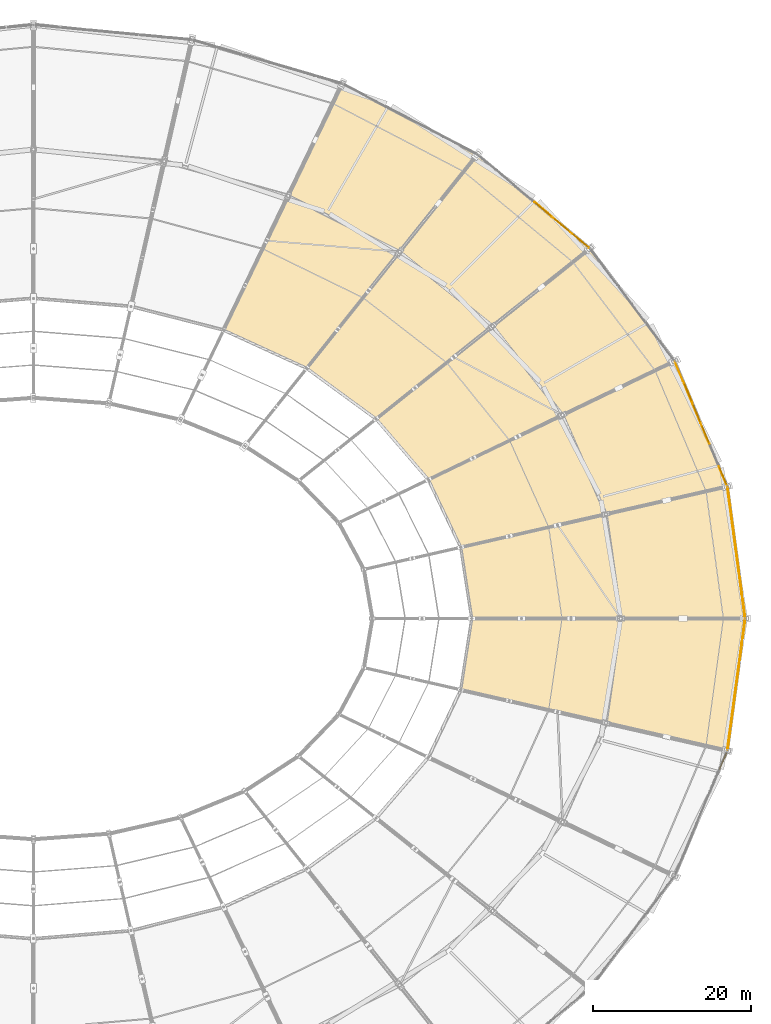
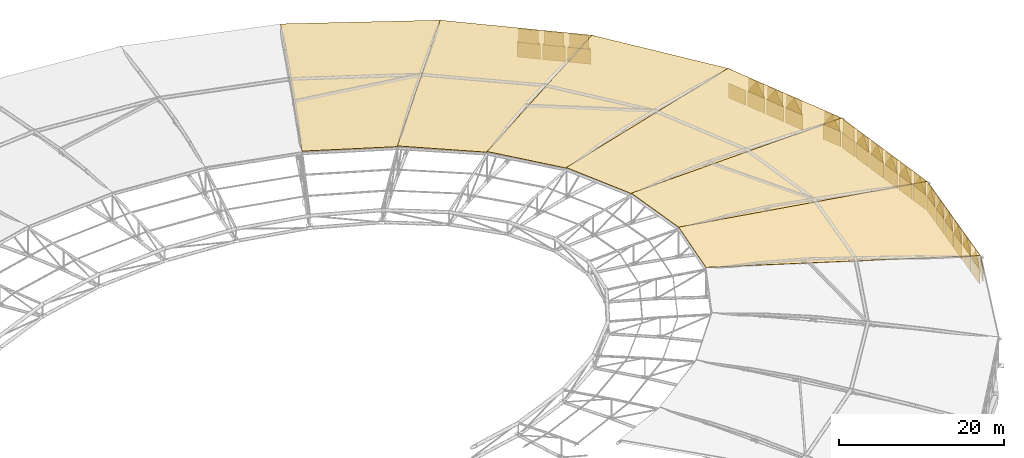
# One storey, part 105 of 108: 45 coverings, 20 shading devices.
"""IFC4 building model written with IfcOpenShell, lengths in metres."""

from ifc_helpers import new_model, si_unit, direction, frame, origin, origin_2d, place, context, subcontext, project, spatial, polyline, rectangle, outline, extrude, material, layer, layer_set, type_object, element, save


model = new_model("IFC4")

# Units and contexts
model_context = context("Model", 3, precision=1e-05, world=origin(), true_north=direction((0.0, 1.0)))
body_context = subcontext(model_context, "Body", "Model", "MODEL_VIEW")
ifc_project = project(units=[si_unit("LENGTHUNIT", "METRE"), si_unit("AREAUNIT", "SQUARE_METRE"), si_unit("VOLUMEUNIT", "CUBIC_METRE"), si_unit("PLANEANGLEUNIT", "RADIAN"), si_unit("MASSUNIT", "GRAM", prefix="KILO")], contexts=[model_context])

# Site, building, storey
site_placement = place(None, origin())
site = spatial("IfcSite", under=ifc_project, at=site_placement, CompositionType="ELEMENT")
building_placement = place(site_placement, origin())
building = spatial("IfcBuilding", under=site, at=building_placement, Name="Zevraka Park Crest Stadium", CompositionType="ELEMENT")
storey_placement = place(building_placement, frame((0.0, 0.0, 29.39990234375)))
storey = spatial("IfcBuildingStorey", under=building, at=storey_placement, Name="RF", CompositionType="ELEMENT", Elevation=29.39990234375)

# Coverings
ifc_material_1 = material(Name="Architectural golden-bronze perforated aluminium", Category="aluminium")
ifc_layer_1 = layer(ifc_material_1, 0.034912109375)
ifc_layer_set_1 = layer_set([ifc_layer_1], Name="Architectural golden-bronze perforated aluminium")
covering_type_1 = type_object("IfcCoveringType", Name="CLD01", PredefinedType="CLADDING", material=ifc_layer_set_1)
covering_1_placement = place(storey_placement, frame((202.284912109375, 92.112060546875, 0.0), z_axis=(0.991003575006, 0.133835400122, 0.0), x_axis=(-0.133835400122, 0.991003575006, 0.0)))
element("IfcCovering", 1, at=covering_1_placement, inside=storey, type_object=covering_type_1, Name="Canopy Crown Perforated Bronze Fascia 01-1A", PredefinedType="CLADDING", context=body_context, shape_type="SweptSolid", body=[
    extrude(outline(polyline([(0.0, 0.0), (2.592167900337867, 0.0), (2.592167900337867, 2.2001953125), (0.0, 2.2001953125), (0.0, 0.0)])), origin(), (0.0, 0.0, -1.0), 0.044921875),
])
covering_2_placement = place(storey_placement, frame((202.284912109375, 92.112060546875, 2.2001953125), z_axis=(0.991003553163, 0.133835397172, 0.000209955251), x_axis=(-0.133835400122, 0.991003575006, 0.0)))
element("IfcCovering", 2, at=covering_2_placement, inside=storey, type_object=covering_type_1, Name="Canopy Crown Triangular Bronze Screen 01-1B", PredefinedType="CLADDING", context=body_context, shape_type="SweptSolid", body=[
    extrude(outline(polyline([(0.0, 0.0), (2.592167900337867, 1.3552527156068805e-20), (1.2956490736919244, 2.0397949668333135), (0.0, 0.0)])), origin(), (0.0, 0.0, -1.0), 0.044921875),
])
covering_3_placement = place(storey_placement, frame((201.907958984375, 94.904052734375, 0.0), z_axis=(0.990962016896, 0.134142763758, 0.0), x_axis=(-0.134142763758, 0.990962016896, 0.0)))
element("IfcCovering", 3, at=covering_3_placement, inside=storey, type_object=covering_type_1, Name="Canopy Crown Perforated Bronze Fascia 01-2A", PredefinedType="CLADDING", context=body_context, shape_type="SweptSolid", body=[
    extrude(outline(polyline([(0.0, 0.0), (2.593508444878777, 0.0), (2.593508444878777, 2.2001953125), (0.0, 2.2001953125), (0.0, 0.0)])), origin(), (0.0, 0.0, -1.0), 0.044921875),
])
covering_4_placement = place(storey_placement, frame((201.907958984375, 94.904052734375, 2.2001953125), z_axis=(0.99096201465, 0.134142763454, 6.7331225e-05), x_axis=(-0.134142763758, 0.990962016896, 0.0)))
element("IfcCovering", 4, at=covering_4_placement, inside=storey, type_object=covering_type_1, Name="Canopy Crown Triangular Bronze Screen 01-2B", PredefinedType="CLADDING", context=body_context, shape_type="SweptSolid", body=[
    extrude(outline(polyline([(0.0, 0.0), (2.593508444878777, 3.3881317890172014e-21), (1.2966496302454018, 2.039794926498699), (0.0, 0.0)])), origin(), (0.0, 0.0, -1.0), 0.044921875),
])
covering_5_placement = place(storey_placement, frame((201.530029296875, 97.697021484375, 0.0), z_axis=(0.991005261785, 0.133822909531, 0.0), x_axis=(-0.133822909531, 0.991005261785, 0.0)))
element("IfcCovering", 5, at=covering_5_placement, inside=storey, type_object=covering_type_1, Name="Canopy Crown Perforated Bronze Fascia 01-3A", PredefinedType="CLADDING", context=body_context, shape_type="SweptSolid", body=[
    extrude(outline(polyline([(0.0, 0.0), (2.5924098447759607, 0.0), (2.5924098447759607, 2.2001953124999996), (0.0, 2.2001953124999996), (0.0, 0.0)])), origin(), (0.0, 0.0, -1.0), 0.044921875),
])
covering_6_placement = place(storey_placement, frame((201.530029296875, 97.697021484375, 2.2001953125), z_axis=(0.991005224989, 0.133822904562, 0.000272504932), x_axis=(-0.133822909531, 0.991005261785, 0.0)))
element("IfcCovering", 6, at=covering_6_placement, inside=storey, type_object=covering_type_1, Name="Canopy Crown Triangular Bronze Screen 01-3B", PredefinedType="CLADDING", context=body_context, shape_type="SweptSolid", body=[
    extrude(outline(polyline([(0.0, 0.0), (2.5924098447759607, 1.3552527156068805e-20), (1.2966495183758966, 2.039794997611506), (0.0, 0.0)])), origin(), (0.0, 0.0, -1.0), 0.044921875),
])
covering_7_placement = place(storey_placement, frame((201.153076171875, 100.489990234375, 0.0), z_axis=(0.99099276819, 0.133915396405, 0.0), x_axis=(-0.133915396405, 0.99099276819, 0.0)))
element("IfcCovering", 7, at=covering_7_placement, inside=storey, type_object=covering_type_1, Name="Canopy Crown Perforated Bronze Fascia 01-4A", PredefinedType="CLADDING", context=body_context, shape_type="SweptSolid", body=[
    extrude(outline(polyline([(0.0, 0.0), (2.592442527674706, 0.0), (2.592442527674706, 2.2001953125000004), (0.0, 2.2001953125000004), (0.0, 0.0)])), origin(), (0.0, 0.0, -1.0), 0.044921875),
])
covering_8_placement = place(storey_placement, frame((201.153076171875, 100.489990234375, 2.2001953125), z_axis=(-0.990992748931, -0.133915393802, 0.000197151049), x_axis=(-0.133915396405, 0.99099276819, 0.0)))
element("IfcCovering", 8, at=covering_8_placement, inside=storey, type_object=covering_type_1, Name="Canopy Crown Triangular Bronze Screen 01-4B", PredefinedType="CLADDING", context=body_context, shape_type="SweptSolid", body=[
    extrude(outline(polyline([(0.0, 0.0), (2.592442527674706, -1.3552527156068805e-20), (1.295551021475711, -2.039794961516922), (0.0, 0.0)])), origin(), (0.0, 0.0, -1.0), 0.044921875),
])
covering_9_placement = place(storey_placement, frame((200.77587890625, 103.281982421875, 0.0), z_axis=(0.990962016896, 0.134142763758, 0.0), x_axis=(-0.134142763758, 0.990962016896, 0.0)))
element("IfcCovering", 9, at=covering_9_placement, inside=storey, type_object=covering_type_1, Name="Canopy Crown Perforated Bronze Fascia 01-5A", PredefinedType="CLADDING", context=body_context, shape_type="SweptSolid", body=[
    extrude(outline(polyline([(0.0, 0.0), (2.593508444878777, 0.0), (2.593508444878777, 2.2001953125), (0.0, 2.2001953125), (0.0, 0.0)])), origin(), (0.0, 0.0, -1.0), 0.044921875),
])
covering_10_placement = place(storey_placement, frame((200.77587890625, 103.281982421875, 2.2001953125), z_axis=(-0.990962015594, -0.134142763581, 5.1275838e-05), x_axis=(-0.134142763758, 0.990962016896, 0.0)))
element("IfcCovering", 10, at=covering_10_placement, inside=storey, type_object=covering_type_1, Name="Canopy Crown Triangular Bronze Screen 01-5B", PredefinedType="CLADDING", context=body_context, shape_type="SweptSolid", body=[
    extrude(outline(polyline([(0.0, 0.0), (2.593508444878777, 0.0), (1.2966168805472187, -2.0397949245565257), (0.0, 0.0)])), origin(), (0.0, 0.0, -1.0), 0.044921875),
])
covering_11_placement = place(storey_placement, frame((200.39794921875, 106.074951171875, 0.0), z_axis=(0.991005261785, 0.133822909531, 0.0), x_axis=(-0.133822909531, 0.991005261785, 0.0)))
element("IfcCovering", 11, at=covering_11_placement, inside=storey, type_object=covering_type_1, Name="Canopy Crown Perforated Bronze Fascia 01-6A", PredefinedType="CLADDING", context=body_context, shape_type="SweptSolid", body=[
    extrude(outline(polyline([(0.0, 0.0), (2.5924098447759607, 0.0), (2.5924098447759607, 2.2001953124999996), (0.0, 2.2001953124999996), (0.0, 0.0)])), origin(), (0.0, 0.0, -1.0), 0.044921875),
])
covering_12_placement = place(storey_placement, frame((200.39794921875, 106.074951171875, 2.2001953125), z_axis=(0.991005252365, 0.133822908259, 0.000137875596), x_axis=(-0.133822909531, 0.991005261785, 0.0)))
element("IfcCovering", 12, at=covering_12_placement, inside=storey, type_object=covering_type_1, Name="Canopy Crown Triangular Bronze Screen 01-6B", PredefinedType="CLADDING", context=body_context, shape_type="SweptSolid", body=[
    extrude(outline(polyline([(0.0, 0.0), (2.5924098447759607, -6.776263578034403e-21), (1.2968587914111145, 2.0397949412629246), (0.0, 0.0)])), origin(), (0.0, 0.0, -1.0), 0.044921875),
])
covering_13_placement = place(storey_placement, frame((199.990966796875, 108.862060546875, 0.0), z_axis=(0.922096698468, 0.386959531056, 0.0), x_axis=(-0.386959531056, 0.922096698468, 0.0)))
element("IfcCovering", 13, at=covering_13_placement, inside=storey, type_object=covering_type_1, Name="Canopy Crown Perforated Bronze Fascia 02-1A", PredefinedType="CLADDING", context=body_context, shape_type="SweptSolid", body=[
    extrude(outline(polyline([(0.0, 0.0), (2.6460797553062623, 0.0), (2.6460797553062623, 2.2001953125), (0.0, 2.2001953125), (0.0, 0.0)])), origin(), (0.0, 0.0, -1.0), 0.044921875),
])
covering_14_placement = place(storey_placement, frame((199.990966796875, 108.862060546875, 2.2001953125), z_axis=(0.922096698468, 0.386959531056, 0.0), x_axis=(-0.386959531056, 0.922096698468, 0.0)))
element("IfcCovering", 14, at=covering_14_placement, inside=storey, type_object=covering_type_1, Name="Canopy Crown Triangular Bronze Screen 02-1B", PredefinedType="CLADDING", context=body_context, shape_type="SweptSolid", body=[
    extrude(outline(polyline([(0.0, 0.0), (2.6460797553062623, 0.0), (1.3230398776531311, 2.0397949218750004), (0.0, 0.0)])), origin(), (0.0, 0.0, -1.0), 0.044921875),
])
covering_15_placement = place(storey_placement, frame((197.764892578125, 114.1669921875, 0.0), z_axis=(0.922096698468, 0.386959531056, 0.0), x_axis=(-0.386959531056, 0.922096698468, 0.0)))
element("IfcCovering", 15, at=covering_15_placement, inside=storey, type_object=covering_type_1, Name="Canopy Crown Perforated Bronze Fascia 02-3A", PredefinedType="CLADDING", context=body_context, shape_type="SweptSolid", body=[
    extrude(outline(polyline([(0.0, 0.0), (2.6460797553062623, 0.0), (2.6460797553062623, 2.2001953125), (0.0, 2.2001953125), (0.0, 0.0)])), origin(), (0.0, 0.0, -1.0), 0.044921875),
])
covering_16_placement = place(storey_placement, frame((197.764892578125, 114.1669921875, 2.2001953125), z_axis=(0.922096698468, 0.386959531056, 0.0), x_axis=(-0.386959531056, 0.922096698468, 0.0)))
element("IfcCovering", 16, at=covering_16_placement, inside=storey, type_object=covering_type_1, Name="Canopy Crown Triangular Bronze Screen 02-3B", PredefinedType="CLADDING", context=body_context, shape_type="SweptSolid", body=[
    extrude(outline(polyline([(0.0, 0.0), (2.6460797553062623, 0.0), (1.3230398776531311, 2.0397949218750004), (0.0, 0.0)])), origin(), (0.0, 0.0, -1.0), 0.044921875),
])
covering_17_placement = place(storey_placement, frame((196.652099609375, 116.820068359375, 0.0), z_axis=(0.922063774842, 0.387037976332, 0.0), x_axis=(-0.387037976332, 0.922063774842, 0.0)))
element("IfcCovering", 17, at=covering_17_placement, inside=storey, type_object=covering_type_1, Name="Canopy Crown Perforated Bronze Fascia 02-4A", PredefinedType="CLADDING", context=body_context, shape_type="SweptSolid", body=[
    extrude(outline(polyline([(0.0, 0.0), (2.646174237424035, 0.0), (2.646174237424035, 2.2001953125), (0.0, 2.2001953125), (0.0, 0.0)])), origin(), (0.0, 0.0, -1.0), 0.044921875),
])
covering_18_placement = place(storey_placement, frame((196.652099609375, 116.820068359375, 2.2001953125), z_axis=(0.922063773439, 0.387037975743, 5.5180357e-05), x_axis=(-0.387037976332, 0.922063774842, 0.0)))
element("IfcCovering", 18, at=covering_18_placement, inside=storey, type_object=covering_type_1, Name="Canopy Crown Triangular Bronze Screen 02-4B", PredefinedType="CLADDING", context=body_context, shape_type="SweptSolid", body=[
    extrude(outline(polyline([(0.0, 0.0), (2.646174237424035, 0.0), (1.3231343645587377, 2.039794924980457), (0.0, 0.0)])), origin(), (0.0, 0.0, -1.0), 0.044921875),
])
covering_19_placement = place(storey_placement, frame((195.5390625, 119.471923828125, 0.0), z_axis=(0.922077593739, 0.3870050531, 0.0), x_axis=(-0.3870050531, 0.922077593739, 0.0)))
element("IfcCovering", 19, at=covering_19_placement, inside=storey, type_object=covering_type_1, Name="Canopy Crown Perforated Bronze Fascia 02-5A", PredefinedType="CLADDING", context=body_context, shape_type="SweptSolid", body=[
    extrude(outline(polyline([(0.0, 0.0), (2.6463993523372635, 0.0), (2.6463993523372635, 2.2001953125), (0.0, 2.2001953125), (0.0, 0.0)])), origin(), (0.0, 0.0, -1.0), 0.044921875),
])
covering_20_placement = place(storey_placement, frame((195.5390625, 119.471923828125, 2.2001953125), z_axis=(-0.922077593266, -0.387005052902, 3.2021098e-05), x_axis=(-0.3870050531, 0.922077593739, 0.0)))
element("IfcCovering", 20, at=covering_20_placement, inside=storey, type_object=covering_type_1, Name="Canopy Crown Triangular Bronze Screen 02-5B", PredefinedType="CLADDING", context=body_context, shape_type="SweptSolid", body=[
    extrude(outline(polyline([(0.0, 0.0), (2.6463993523372635, 3.3881317890172014e-21), (1.3230398760408437, -2.039794922920753), (0.0, 0.0)])), origin(), (0.0, 0.0, -1.0), 0.044921875),
])
covering_21_placement = place(storey_placement, frame((194.426025390625, 122.125, 0.0), z_axis=(0.922096698468, 0.386959531056, 0.0), x_axis=(-0.386959531056, 0.922096698468, 0.0)))
element("IfcCovering", 21, at=covering_21_placement, inside=storey, type_object=covering_type_1, Name="Canopy Crown Perforated Bronze Fascia 02-6A", PredefinedType="CLADDING", context=body_context, shape_type="SweptSolid", body=[
    extrude(outline(polyline([(0.0, 0.0), (2.6460797553062623, 0.0), (2.6460797553062623, 2.2001953125), (0.0, 2.2001953125), (0.0, 0.0)])), origin(), (0.0, 0.0, -1.0), 0.044921875),
])
covering_22_placement = place(storey_placement, frame((182.50390625, 139.028076171875, 0.0), z_axis=(0.640487107171, 0.767968922254, 0.0), x_axis=(-0.767968922254, 0.640487107171, 0.0)))
element("IfcCovering", 22, at=covering_22_placement, inside=storey, type_object=covering_type_1, Name="Canopy Crown Perforated Bronze Fascia 04-1A", PredefinedType="CLADDING", context=body_context, shape_type="SweptSolid", body=[
    extrude(outline(polyline([(0.0, 0.0), (2.8554164500737182, 0.0), (2.8554164500737182, 2.2001953125), (0.0, 2.2001953125), (0.0, 0.0)])), origin(), (0.0, 0.0, -1.0), 0.044921875),
])
covering_23_placement = place(storey_placement, frame((182.50390625, 139.028076171875, 2.2001953125), z_axis=(0.640487105298, 0.767968920008, 7.6474936e-05), x_axis=(-0.767968922254, 0.640487107171, 0.0)))
element("IfcCovering", 23, at=covering_23_placement, inside=storey, type_object=covering_type_1, Name="Canopy Crown Triangular Bronze Screen 04-1B", PredefinedType="CLADDING", context=body_context, shape_type="SweptSolid", body=[
    extrude(outline(polyline([(0.0, 0.0), (2.8554164500737182, 1.3552527156068805e-20), (1.426942317904917, 2.039794927839785), (0.0, 0.0)])), origin(), (0.0, 0.0, -1.0), 0.044921875),
])
covering_24_placement = place(storey_placement, frame((180.12109375, 141.01611328125, 0.0), z_axis=(0.640243276272, 0.768172211934, 0.0), x_axis=(-0.768172211934, 0.640243276272, 0.0)))
element("IfcCovering", 24, at=covering_24_placement, inside=storey, type_object=covering_type_1, Name="Canopy Crown Perforated Bronze Fascia 04-2A", PredefinedType="CLADDING", context=body_context, shape_type="SweptSolid", body=[
    extrude(outline(polyline([(0.0, 0.0), (2.8549786106584403, 0.0), (2.8549786106584403, 2.2001953125), (0.0, 2.2001953125), (0.0, 0.0)])), origin(), (0.0, 0.0, -1.0), 0.044921875),
])
covering_25_placement = place(storey_placement, frame((180.12109375, 141.01611328125, 2.2001953125), z_axis=(0.640243258208, 0.768172190261, 0.00023754569), x_axis=(-0.768172211934, 0.640243276272, 0.0)))
element("IfcCovering", 25, at=covering_25_placement, inside=storey, type_object=covering_type_1, Name="Canopy Crown Triangular Bronze Screen 04-2B", PredefinedType="CLADDING", context=body_context, shape_type="SweptSolid", body=[
    extrude(outline(polyline([(0.0, 0.0), (2.8549786106584403, 0.0), (1.427880005742233, 2.03979497942573), (0.0, 0.0)])), origin(), (0.0, 0.0, -1.0), 0.044921875),
])
covering_26_placement = place(storey_placement, frame((177.738037109375, 143.0029296875, 0.0), z_axis=(0.640293732957, 0.768130155336, 0.0), x_axis=(-0.768130155336, 0.640293732957, 0.0)))
element("IfcCovering", 26, at=covering_26_placement, inside=storey, type_object=covering_type_1, Name="Canopy Crown Perforated Bronze Fascia 04-3A", PredefinedType="CLADDING", context=body_context, shape_type="SweptSolid", body=[
    extrude(outline(polyline([(0.0, 0.0), (2.855134926211494, 0.0), (2.855134926211494, 2.2001953125), (0.0, 2.2001953125), (0.0, 0.0)])), origin(), (0.0, 0.0, -1.0), 0.044921875),
])
covering_27_placement = place(storey_placement, frame((177.738037109375, 143.0029296875, 2.2001953125), z_axis=(-0.640293721206, -0.768130141238, 0.000191589982), x_axis=(-0.768130155336, 0.640293732957, 0.0)))
element("IfcCovering", 27, at=covering_27_placement, inside=storey, type_object=covering_type_1, Name="Canopy Crown Triangular Bronze Screen 04-3B", PredefinedType="CLADDING", context=body_context, shape_type="SweptSolid", body=[
    extrude(outline(polyline([(0.0, 0.0), (2.855134926211494, 5.421010862427522e-20), (1.4270986336652345, -2.0397949593120925), (0.0, 0.0)])), origin(), (0.0, 0.0, -1.0), 0.044921875),
])
covering_28_placement = place(storey_placement, frame((200.051025390625, 75.35595703125, 0.0), z_axis=(0.991005261785, -0.133822909531, 0.0), x_axis=(0.133822909531, 0.991005261785, 0.0)))
element("IfcCovering", 28, at=covering_28_placement, inside=storey, type_object=covering_type_1, Name="Canopy Crown Perforated Bronze Fascia 28-1A", PredefinedType="CLADDING", context=body_context, shape_type="SweptSolid", body=[
    extrude(outline(polyline([(0.0, 0.0), (2.5924098447759607, 0.0), (2.5924098447759607, 2.2001953124999996), (0.0, 2.2001953124999996), (0.0, 0.0)])), origin(), (0.0, 0.0, -1.0), 0.044921875),
])
covering_29_placement = place(storey_placement, frame((200.051025390625, 75.35595703125, 2.2001953125), z_axis=(0.991005252365, -0.133822908259, 0.000137875596), x_axis=(0.133822909531, 0.991005261785, 0.0)))
element("IfcCovering", 29, at=covering_29_placement, inside=storey, type_object=covering_type_1, Name="Canopy Crown Triangular Bronze Screen 28-1B", PredefinedType="CLADDING", context=body_context, shape_type="SweptSolid", body=[
    extrude(outline(polyline([(0.0, 0.0), (2.5924098447759607, 6.776263578034403e-21), (1.2955510533648462, 2.0397949412629246), (0.0, 0.0)])), origin(), (0.0, 0.0, -1.0), 0.044921875),
])
covering_30_placement = place(storey_placement, frame((200.427978515625, 78.14794921875, 0.0), z_axis=(0.990962016896, -0.134142763758, 0.0), x_axis=(0.134142763758, 0.990962016896, 0.0)))
element("IfcCovering", 30, at=covering_30_placement, inside=storey, type_object=covering_type_1, Name="Canopy Crown Perforated Bronze Fascia 28-2A", PredefinedType="CLADDING", context=body_context, shape_type="SweptSolid", body=[
    extrude(outline(polyline([(0.0, 0.0), (2.593508444878777, 0.0), (2.593508444878777, 2.2001953125), (0.0, 2.2001953125), (0.0, 0.0)])), origin(), (0.0, 0.0, -1.0), 0.044921875),
])
covering_31_placement = place(storey_placement, frame((200.427978515625, 78.14794921875, 2.2001953125), z_axis=(-0.990962015594, 0.134142763581, 5.1275838e-05), x_axis=(0.134142763758, 0.990962016896, 0.0)))
element("IfcCovering", 31, at=covering_31_placement, inside=storey, type_object=covering_type_1, Name="Canopy Crown Triangular Bronze Screen 28-2B", PredefinedType="CLADDING", context=body_context, shape_type="SweptSolid", body=[
    extrude(outline(polyline([(0.0, 0.0), (2.593508444878777, 0.0), (1.2968915643315582, -2.0397949245565257), (0.0, 0.0)])), origin(), (0.0, 0.0, -1.0), 0.044921875),
])
covering_32_placement = place(storey_placement, frame((200.805908203125, 80.94091796875, 0.0), z_axis=(0.99099276819, -0.133915396405, 0.0), x_axis=(0.133915396405, 0.99099276819, 0.0)))
element("IfcCovering", 32, at=covering_32_placement, inside=storey, type_object=covering_type_1, Name="Canopy Crown Perforated Bronze Fascia 28-3A", PredefinedType="CLADDING", context=body_context, shape_type="SweptSolid", body=[
    extrude(outline(polyline([(0.0, 0.0), (2.592442527674706, 0.0), (2.592442527674706, 2.2001953125000004), (0.0, 2.2001953125000004), (0.0, 0.0)])), origin(), (0.0, 0.0, -1.0), 0.044921875),
])
covering_33_placement = place(storey_placement, frame((200.805908203125, 80.94091796875, 2.2001953125), z_axis=(-0.990992748931, 0.133915393802, 0.000197151049), x_axis=(0.133915396405, 0.99099276819, 0.0)))
element("IfcCovering", 33, at=covering_33_placement, inside=storey, type_object=covering_type_1, Name="Canopy Crown Triangular Bronze Screen 28-3B", PredefinedType="CLADDING", context=body_context, shape_type="SweptSolid", body=[
    extrude(outline(polyline([(0.0, 0.0), (2.592442527674706, 1.3552527156068805e-20), (1.296891506198995, -2.039794961516922), (0.0, 0.0)])), origin(), (0.0, 0.0, -1.0), 0.044921875),
])
covering_34_placement = place(storey_placement, frame((201.18310546875, 83.73388671875, 0.0), z_axis=(0.991005261785, -0.133822909531, 0.0), x_axis=(0.133822909531, 0.991005261785, 0.0)))
element("IfcCovering", 34, at=covering_34_placement, inside=storey, type_object=covering_type_1, Name="Canopy Crown Perforated Bronze Fascia 28-4A", PredefinedType="CLADDING", context=body_context, shape_type="SweptSolid", body=[
    extrude(outline(polyline([(0.0, 0.0), (2.5924098447759607, 0.0), (2.5924098447759607, 2.2001953124999996), (0.0, 2.2001953124999996), (0.0, 0.0)])), origin(), (0.0, 0.0, -1.0), 0.044921875),
])
covering_35_placement = place(storey_placement, frame((201.18310546875, 83.73388671875, 2.2001953125), z_axis=(0.991005224989, -0.133822904562, 0.000272504932), x_axis=(0.133822909531, 0.991005261785, 0.0)))
element("IfcCovering", 35, at=covering_35_placement, inside=storey, type_object=covering_type_1, Name="Canopy Crown Triangular Bronze Screen 28-4B", PredefinedType="CLADDING", context=body_context, shape_type="SweptSolid", body=[
    extrude(outline(polyline([(0.0, 0.0), (2.5924098447759607, -1.3552527156068805e-20), (1.295760326400064, 2.039794997611506), (0.0, 0.0)])), origin(), (0.0, 0.0, -1.0), 0.044921875),
])
covering_36_placement = place(storey_placement, frame((201.56005859375, 86.52587890625, 0.0), z_axis=(0.990962016896, -0.134142763758, 0.0), x_axis=(0.134142763758, 0.990962016896, 0.0)))
element("IfcCovering", 36, at=covering_36_placement, inside=storey, type_object=covering_type_1, Name="Canopy Crown Perforated Bronze Fascia 28-5A", PredefinedType="CLADDING", context=body_context, shape_type="SweptSolid", body=[
    extrude(outline(polyline([(0.0, 0.0), (2.593508444878777, 0.0), (2.593508444878777, 2.2001953125), (0.0, 2.2001953125), (0.0, 0.0)])), origin(), (0.0, 0.0, -1.0), 0.044921875),
])
covering_37_placement = place(storey_placement, frame((201.56005859375, 86.52587890625, 2.2001953125), z_axis=(0.99096201465, -0.134142763454, 6.7331225e-05), x_axis=(0.134142763758, 0.990962016896, 0.0)))
element("IfcCovering", 37, at=covering_37_placement, inside=storey, type_object=covering_type_1, Name="Canopy Crown Triangular Bronze Screen 28-5B", PredefinedType="CLADDING", context=body_context, shape_type="SweptSolid", body=[
    extrude(outline(polyline([(0.0, 0.0), (2.593508444878777, -3.3881317890172014e-21), (1.296858814633375, 2.039794926498699), (0.0, 0.0)])), origin(), (0.0, 0.0, -1.0), 0.044921875),
])
covering_38_placement = place(storey_placement, frame((201.93798828125, 89.319091796875, 0.0), z_axis=(0.991003575006, -0.133835400122, 0.0), x_axis=(0.133835400122, 0.991003575006, 0.0)))
element("IfcCovering", 38, at=covering_38_placement, inside=storey, type_object=covering_type_1, Name="Canopy Crown Perforated Bronze Fascia 28-6A", PredefinedType="CLADDING", context=body_context, shape_type="SweptSolid", body=[
    extrude(outline(polyline([(0.0, 0.0), (2.592167900337867, 0.0), (2.592167900337867, 2.2001953125), (0.0, 2.2001953125), (0.0, 0.0)])), origin(), (0.0, 0.0, -1.0), 0.044921875),
])
covering_39_placement = place(storey_placement, frame((201.93798828125, 89.319091796875, 2.2001953125), z_axis=(0.991003553163, -0.133835397172, 0.000209955251), x_axis=(0.133835400122, 0.991003575006, 0.0)))
element("IfcCovering", 39, at=covering_39_placement, inside=storey, type_object=covering_type_1, Name="Canopy Crown Triangular Bronze Screen 28-6B", PredefinedType="CLADDING", context=body_context, shape_type="SweptSolid", body=[
    extrude(outline(polyline([(0.0, 0.0), (2.592167900337867, -1.3552527156068805e-20), (1.2965188266459422, 2.0397949668333135), (0.0, 0.0)])), origin(), (0.0, 0.0, -1.0), 0.044921875),
])

# Shading devices
ifc_material_2 = material(Name="Terracotta and bronze acoustic ventilation louvre", Category="masonry")
ifc_layer_2 = layer(ifc_material_2, 0.080078125)
ifc_layer_set_2 = layer_set([ifc_layer_2], Name="Terracotta and bronze acoustic ventilation louvre")
shading_device_type = type_object("IfcShadingDeviceType", Name="LVR01", PredefinedType="USERDEFINED", material=ifc_layer_set_2)
for number, where, z_axis, x_axis, name in (
    (40, (202.111083984375, 93.39599609375, 2.22021484375), (0.0, 0.0, 1.0), (-0.133813224182, 0.991006569622, 0.0), "Canopy Crown Acoustic Wind Louvre 01-1"),
    (41, (201.73388671875, 96.18896484375, 2.22021484375), (0.0, 0.0, 1.0), (-0.133813224182, 0.991006569622, 0.0), "Canopy Crown Acoustic Wind Louvre 01-2"),
    (42, (201.35595703125, 98.98193359375, 2.22021484375), (0.0, 0.0, 1.0), (-0.133813224182, 0.991006569622, 0.0), "Canopy Crown Acoustic Wind Louvre 01-3"),
    (43, (200.97998046875, 101.77392578125, 2.22021484375), (0.0, 0.0, 1.0), (-0.133813224182, 0.991006569622, 0.0), "Canopy Crown Acoustic Wind Louvre 01-4"),
    (44, (200.60205078125, 104.56689453125, 2.22021484375), (0.0, 0.0, 1.0), (-0.133813224182, 0.991006569622, 0.0), "Canopy Crown Acoustic Wind Louvre 01-5"),
    (45, (200.22412109375, 107.360107421875, 2.22021484375), (0.0, 0.0, 1.0), (-0.133813224182, 0.991006569622, 0.0), "Canopy Crown Acoustic Wind Louvre 01-6"),
):
    element("IfcShadingDevice", number, at=place(storey_placement, frame(where, z_axis=z_axis, x_axis=x_axis)), inside=storey, type_object=shading_device_type, Name=name, ObjectType="LOUVRE", PredefinedType="USERDEFINED", context=body_context, shape_type="SweptSolid", body=[
        extrude(rectangle(XDim=2.2041015625, YDim=0.1201171875, at=origin_2d()), origin(), (0.0, 0.0, 1.0), 2.0),
    ])
for number, where, z_axis, x_axis, name in (
    (46, (199.47900390625, 110.08203125, 2.22021484375), (0.0, 0.0, 1.0), (-0.387032846937, 0.922065927899, 0.0), "Canopy Crown Acoustic Wind Louvre 02-1"),
    (47, (197.2529296875, 115.386962890625, 2.22021484375), (0.0, 0.0, 1.0), (-0.387032846937, 0.922065927899, 0.0), "Canopy Crown Acoustic Wind Louvre 02-3"),
    (48, (196.139892578125, 118.0400390625, 2.22021484375), (0.0, 0.0, 1.0), (-0.387032846937, 0.922065927899, 0.0), "Canopy Crown Acoustic Wind Louvre 02-4"),
    (49, (195.027099609375, 120.69189453125, 2.22021484375), (0.0, 0.0, 1.0), (-0.387032846937, 0.922065927899, 0.0), "Canopy Crown Acoustic Wind Louvre 02-5"),
):
    element("IfcShadingDevice", number, at=place(storey_placement, frame(where, z_axis=z_axis, x_axis=x_axis)), inside=storey, type_object=shading_device_type, Name=name, ObjectType="LOUVRE", PredefinedType="USERDEFINED", context=body_context, shape_type="SweptSolid", body=[
        extrude(rectangle(XDim=2.25, YDim=0.1201171875, at=origin_2d()), origin(), (0.0, 0.0, 1.0), 2.0),
    ])
for number, where, z_axis, x_axis, name in (
    (50, (181.407958984375, 139.94189453125, 2.22021484375), (0.0, 0.0, 1.0), (-0.768060036355, 0.640377842023, 0.0), "Canopy Crown Acoustic Wind Louvre 04-1"),
    (51, (179.02392578125, 141.929931640625, 2.22021484375), (0.0, 0.0, 1.0), (-0.768060036355, 0.640377842023, 0.0), "Canopy Crown Acoustic Wind Louvre 04-2"),
    (52, (176.64208984375, 143.9169921875, 2.22021484375), (0.0, 0.0, 1.0), (-0.768060036355, 0.640377842023, 0.0), "Canopy Crown Acoustic Wind Louvre 04-3"),
):
    element("IfcShadingDevice", number, at=place(storey_placement, frame(where, z_axis=z_axis, x_axis=x_axis)), inside=storey, type_object=shading_device_type, Name=name, ObjectType="LOUVRE", PredefinedType="USERDEFINED", context=body_context, shape_type="SweptSolid", body=[
        extrude(rectangle(XDim=2.426025390625, YDim=0.1201171875, at=origin_2d()), origin(), (0.0, 0.0, 1.0), 2.0),
    ])
shading_device_placement = place(storey_placement, frame((199.47900390625, 73.91796875, 2.22021484375), z_axis=(0.0, 0.0, 1.0), x_axis=(0.387032846937, 0.922065927899, 0.0)))
element("IfcShadingDevice", 53, at=shading_device_placement, inside=storey, type_object=shading_device_type, Name="Canopy Crown Acoustic Wind Louvre 27-6", ObjectType="LOUVRE", PredefinedType="USERDEFINED", context=body_context, shape_type="SweptSolid", body=[
    extrude(rectangle(XDim=2.25, YDim=0.1201171875, at=origin_2d()), origin(), (0.0, 0.0, 1.0), 2.0),
])
for number, where, z_axis, x_axis, name in (
    (54, (200.22412109375, 76.639892578125, 2.22021484375), (0.0, 0.0, 1.0), (0.133813224182, 0.991006569622, 0.0), "Canopy Crown Acoustic Wind Louvre 28-1"),
    (55, (200.60205078125, 79.43310546875, 2.22021484375), (0.0, 0.0, 1.0), (0.133813224182, 0.991006569622, 0.0), "Canopy Crown Acoustic Wind Louvre 28-2"),
    (56, (200.97998046875, 82.22607421875, 2.22021484375), (0.0, 0.0, 1.0), (0.133813224182, 0.991006569622, 0.0), "Canopy Crown Acoustic Wind Louvre 28-3"),
    (57, (201.35595703125, 85.01806640625, 2.22021484375), (0.0, 0.0, 1.0), (0.133813224182, 0.991006569622, 0.0), "Canopy Crown Acoustic Wind Louvre 28-4"),
    (58, (201.73388671875, 87.81103515625, 2.22021484375), (0.0, 0.0, 1.0), (0.133813224182, 0.991006569622, 0.0), "Canopy Crown Acoustic Wind Louvre 28-5"),
    (59, (202.111083984375, 90.60400390625, 2.22021484375), (0.0, 0.0, 1.0), (0.133813224182, 0.991006569622, 0.0), "Canopy Crown Acoustic Wind Louvre 28-6"),
):
    element("IfcShadingDevice", number, at=place(storey_placement, frame(where, z_axis=z_axis, x_axis=x_axis)), inside=storey, type_object=shading_device_type, Name=name, ObjectType="LOUVRE", PredefinedType="USERDEFINED", context=body_context, shape_type="SweptSolid", body=[
        extrude(rectangle(XDim=2.2041015625, YDim=0.1201171875, at=origin_2d()), origin(), (0.0, 0.0, 1.0), 2.0),
    ])

# Coverings
ifc_material_3 = material(Name="Insulated standing-seam acoustic aluminium roofing", Category="aluminium")
ifc_layer_3 = layer(ifc_material_3, 0.06005859375)
ifc_layer_set_3 = layer_set([ifc_layer_3], Name="Insulated standing-seam acoustic aluminium roofing")
covering_type_2 = type_object("IfcCoveringType", Name="RCV01", PredefinedType="ROOFING", material=ifc_layer_set_3)
covering_40_placement = place(storey_placement, frame((202.300048828125, 92.0, 4.300048828125), z_axis=(0.15336347805, 0.020715812863, 0.987952680394), x_axis=(-0.133906431173, 0.990993979618, 7.196891e-06)))
element("IfcCovering", 60, at=covering_40_placement, inside=storey, type_object=covering_type_2, Name="Canopy Acoustic Standing-Seam Roofing OUTER-01", PredefinedType="ROOFING", context=body_context, shape_type="SweptSolid", body=[
    extrude(outline(polyline([(0.0, 0.0), (16.908383311964492, 0.0), (13.785832642267193, 34.980651918880504), (4.646585389178787, 34.806751705004736), (0.0, 0.0)])), origin(), (0.0, 0.0, -1.0), 0.06005859375),
])
covering_41_placement = place(storey_placement, frame((200.035888671875, 108.756103515625, 4.300048828125), z_axis=(0.142925763867, 0.059976486424, 0.98791449382), x_axis=(-0.386972793874, 0.922091132578, 4.652088e-06)))
element("IfcCovering", 61, at=covering_41_placement, inside=storey, type_object=covering_type_2, Name="Canopy Acoustic Standing-Seam Roofing OUTER-02", PredefinedType="ROOFING", context=body_context, shape_type="SweptSolid", body=[
    extrude(outline(polyline([(0.0, 0.0), (17.259465181005595, -8.881784197001252e-16), (15.475378531952735, 35.07706488869247), (5.9707077142774585, 34.60061216176034), (0.0, 0.0)])), origin(), (0.0, 0.0, -1.0), 0.06005859375),
])
covering_42_placement = place(storey_placement, frame((193.35693359375, 124.6708984375, 4.300048828125), z_axis=(0.124003879913, 0.093437799611, 0.987872671639), x_axis=(-0.601762579493, 0.79867502646, -5.610473e-06)))
element("IfcCovering", 62, at=covering_42_placement, inside=storey, type_object=covering_type_2, Name="Canopy Acoustic Standing-Seam Roofing OUTER-03", PredefinedType="ROOFING", context=body_context, shape_type="SweptSolid", body=[
    extrude(outline(polyline([(0.0, 0.0), (17.877191864068372, 0.0), (16.923126799175247, 35.112317023755686), (6.7888391544301765, 34.4461793855873), (0.0, 0.0)])), origin(), (0.0, 0.0, -1.0), 0.06005859375),
])
covering_43_placement = place(storey_placement, frame((182.59912109375, 138.948974609375, 4.300048828125), z_axis=(0.099486559587, 0.119302637189, 0.987860974642), x_axis=(-0.768009420077, 0.640438545587, 6.14953e-07)))
element("IfcCovering", 63, at=covering_43_placement, inside=storey, type_object=covering_type_2, Name="Canopy Acoustic Standing-Seam Roofing OUTER-04", PredefinedType="ROOFING", context=body_context, shape_type="SweptSolid", body=[
    extrude(outline(polyline([(0.0, 0.0), (18.61708226015734, 0.0), (17.857797870937674, 35.11839210854259), (6.979552157535769, 34.408124214685195), (0.0, 0.0)])), origin(), (0.0, 0.0, -1.0), 0.06005859375),
])
covering_44_placement = place(storey_placement, frame((168.301025390625, 150.8720703125, 4.300048828125), z_axis=(0.072021192578, 0.137457369919, 0.987885833118), x_axis=(-0.885773090192, 0.464118554561, -2.107057e-06)))
element("IfcCovering", 64, at=covering_44_placement, inside=storey, type_object=covering_type_2, Name="Canopy Acoustic Standing-Seam Roofing OUTER-05", PredefinedType="ROOFING", context=body_context, shape_type="SweptSolid", body=[
    extrude(outline(polyline([(0.0, 0.0), (19.328987196364277, 8.881784197001252e-16), (18.15493054126067, 35.10573215366615), (6.572102872282417, 34.49017194530255), (0.0, 0.0)])), origin(), (0.0, 0.0, -1.0), 0.06005859375),
])
covering_45_placement = place(storey_placement, frame((200.035888671875, 75.243896484375, 4.300048828125), z_axis=(0.15336347805, -0.020715812863, 0.987952680394), x_axis=(0.133906431173, 0.990993979618, -7.196891e-06)))
element("IfcCovering", 65, at=covering_45_placement, inside=storey, type_object=covering_type_2, Name="Canopy Acoustic Standing-Seam Roofing OUTER-28", PredefinedType="ROOFING", context=body_context, shape_type="SweptSolid", body=[
    extrude(outline(polyline([(0.0, 0.0), (16.908383311964492, 0.0), (12.261797922785705, 34.806751705004736), (3.122550669697297, 34.980651918880504), (0.0, 0.0)])), origin(), (0.0, 0.0, -1.0), 0.06005859375),
])

save(model, "model.ifc")
